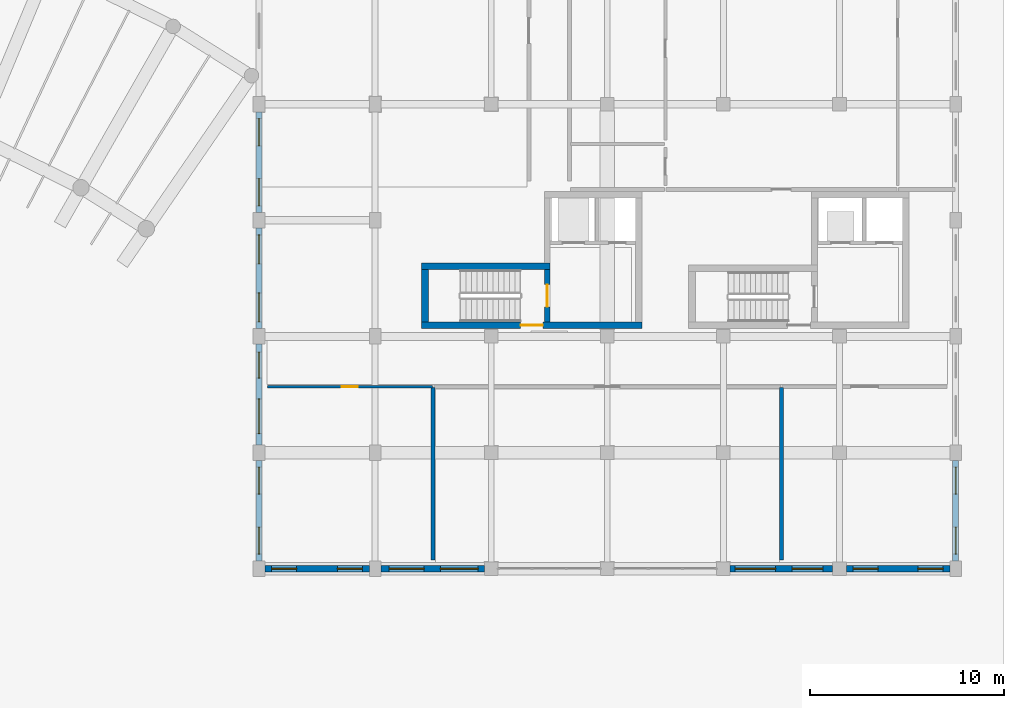
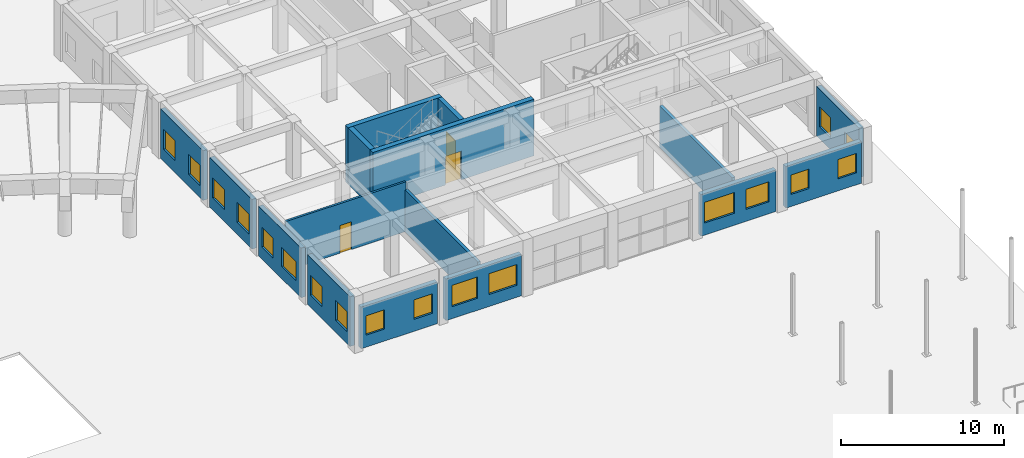
# One storey, part 61 of 76: 18 windows, 16 walls, 3 doors, 21 openings.
"""IFC4 building model written with IfcOpenShell, lengths in metres."""

from ifc_helpers import new_model, si_unit, direction, frame, frame_2d, origin, place, context, subcontext, project, spatial, rectangle, extrude, material, layer, layer_set, type_object, element, fill, save


model = new_model("IFC4")

# Units and contexts
model_context = context("Model", 3, precision=1e-05, world=origin(), true_north=direction((0.0, 1.0)))
body_context = subcontext(model_context, "Body", "Model", "MODEL_VIEW")
ifc_project = project(units=[si_unit("LENGTHUNIT", "METRE"), si_unit("AREAUNIT", "SQUARE_METRE"), si_unit("VOLUMEUNIT", "CUBIC_METRE"), si_unit("PLANEANGLEUNIT", "RADIAN"), si_unit("MASSUNIT", "GRAM", prefix="KILO"), si_unit("POWERUNIT", "WATT"), si_unit("THERMODYNAMICTEMPERATUREUNIT", "KELVIN")], contexts=[model_context])

# Site, building, storey
site_placement = place(None, origin())
site = spatial("IfcSite", under=ifc_project, at=site_placement, CompositionType="ELEMENT")
building_placement = place(site_placement, origin())
building = spatial("IfcBuilding", under=site, at=building_placement, Name="Ruvembo Vaulted Housing Court", CompositionType="ELEMENT")
storey_placement = place(building_placement, origin())
storey = spatial("IfcBuildingStorey", under=building, at=storey_placement, Name="L00", CompositionType="ELEMENT", Elevation=0.0)

# Wall, opening, door
ifc_material_1 = material(Name="Concrete C35/45", Category="concrete")
ifc_layer_1 = layer(ifc_material_1, 0.300048828125, Name="Concrete C35/45")
ifc_layer_set_1 = layer_set([ifc_layer_1], Name="Concrete C35/45")
wall_type_1 = type_object("IfcWallType", Name="WL-CORE-300", PredefinedType="SHEAR", material=ifc_layer_set_1)
wall_1_placement = place(storey_placement, frame((164.89990234375, 84.75, 0.0), z_axis=(0.0, 0.0, 1.0), x_axis=(0.0, 1.0, 0.0)))
wall_1 = element("IfcWall", 1, at=wall_1_placement, inside=storey, type_object=wall_type_1, Name="Core D1 L00 Stair-Lobby Shear Wall", PredefinedType="SHEAR", context=body_context, shape_type="SweptSolid", body=[
    extrude(rectangle(XDim=2.699951171875, YDim=0.300048828125, at=frame_2d((1.35009765625, 0.0))), origin(), (0.0, 0.0, 1.0), 4.22998046875),
])
opening_1_placement = place(wall_1_placement, frame((0.77490234375, 0.0, 0.0)))
opening_1 = element("IfcOpeningElement", 2, at=opening_1_placement, cuts=wall_1, Name="Opening SD1", PredefinedType="OPENING", context=body_context, shape_type="SweptSolid", body=[
    extrude(rectangle(XDim=1.14990234375, YDim=2.14990234375, at=frame_2d((0.574951171875, 1.074951171875))), frame((0.0, 0.159912109375, 0.0), z_axis=(0.0, -1.0, 0.0), x_axis=(1.0, 0.0, 0.0)), (0.0, 0.0, 1.0), 0.320068359375),
])
ifc_material_2 = material(Name="Galvanised Painted Steel", Category="steel")
door_type_1 = type_object("IfcDoorType", Name="DR-STAIR-1150x2150", OperationType="NOTDEFINED", PredefinedType="DOOR", material=ifc_material_2)
door_1_placement = place(opening_1_placement, origin())
door_1 = element("IfcDoor", 3, at=door_1_placement, inside=storey, type_object=door_type_1, Name="Stair ST-D1 L00 Fire Door", OperationType="SINGLE_SWING_LEFT", OverallHeight=2.14990234375, OverallWidth=1.14990234375, PredefinedType="DOOR", context=body_context, shape_type="SweptSolid", body=[
    extrude(rectangle(XDim=1.14990234375, YDim=2.14990234375, at=frame_2d((0.574951171875, 1.074951171875))), frame((0.0, 0.02490234375, 0.0), z_axis=(0.0, -1.0, 0.0), x_axis=(1.0, 0.0, 0.0)), (0.0, 0.0, 1.0), 0.050048828125),
])
fill(opening_1, door_1)

ifc_layer_2 = layer(ifc_material_1, 0.35009765625, Name="Concrete C35/45")
ifc_layer_set_2 = layer_set([ifc_layer_2], Name="Concrete C35/45")
wall_type_2 = type_object("IfcWallType", Name="WL-CORE-350", PredefinedType="SHEAR", material=ifc_layer_set_2)
wall_2_placement = place(storey_placement, frame((158.39990234375, 84.574951171875, 0.0), z_axis=(0.0, 0.0, 1.0), x_axis=(1.0, 0.0, 0.0)))
wall_2 = element("IfcWall", 4, at=wall_2_placement, inside=storey, type_object=wall_type_2, Name="Core D1 L00 South Shear Wall", PredefinedType="SHEAR", context=body_context, shape_type="SweptSolid", body=[
    extrude(rectangle(XDim=11.400146484375, YDim=0.35009765625, at=frame_2d((5.7001953125, 0.0))), origin(), (0.0, 0.0, 1.0), 4.22998046875),
])
opening_2_placement = place(wall_2_placement, frame((5.125, 0.0, 0.0)))
opening_2 = element("IfcOpeningElement", 5, at=opening_2_placement, cuts=wall_2, Name="Opening LD0", PredefinedType="OPENING", context=body_context, shape_type="SweptSolid", body=[
    extrude(rectangle(XDim=1.14990234375, YDim=2.14990234375, at=frame_2d((0.574951171875, 1.074951171875))), frame((0.0, 0.18505859375, 0.0), z_axis=(0.0, -1.0, 0.0), x_axis=(1.0, 0.0, 0.0)), (0.0, 0.0, 1.0), 0.3701171875),
])
door_type_2 = type_object("IfcDoorType", Name="DR-LOB-1150x2150", OperationType="NOTDEFINED", PredefinedType="DOOR", material=ifc_material_2)
door_2_placement = place(opening_2_placement, origin())
door_2 = element("IfcDoor", 6, at=door_2_placement, inside=storey, type_object=door_type_2, Name="Core D1 L00 Lobby Fire Door", OperationType="SINGLE_SWING_RIGHT", OverallHeight=2.14990234375, OverallWidth=1.14990234375, PredefinedType="DOOR", context=body_context, shape_type="SweptSolid", body=[
    extrude(rectangle(XDim=1.14990234375, YDim=2.14990234375, at=frame_2d((0.574951171875, 1.074951171875))), frame((0.0, 0.02490234375, 0.0), z_axis=(0.0, -1.0, 0.0), x_axis=(1.0, 0.0, 0.0)), (0.0, 0.0, 1.0), 0.050048828125),
])
fill(opening_2, door_2)

# Walls
wall_3_placement = place(storey_placement, frame((165.050048828125, 87.625, 0.0), z_axis=(0.0, 0.0, 1.0), x_axis=(-1.0, 0.0, 0.0)))
element("IfcWall", 7, at=wall_3_placement, inside=storey, type_object=wall_type_2, Name="Core D1 L00 Stair North Shear Wall", PredefinedType="SHEAR", context=body_context, shape_type="SweptSolid", body=[
    extrude(rectangle(XDim=6.650146484375, YDim=0.35009765625, at=frame_2d((3.3251953125, 0.0))), origin(), (0.0, 0.0, 1.0), 4.22998046875),
])
wall_4_placement = place(storey_placement, frame((158.574951171875, 87.449951171875, 0.0), z_axis=(0.0, 0.0, 1.0), x_axis=(0.0, -1.0, 0.0)))
element("IfcWall", 8, at=wall_4_placement, inside=storey, type_object=wall_type_2, Name="Core D1 L00 Stair West Shear Wall", PredefinedType="SHEAR", context=body_context, shape_type="SweptSolid", body=[
    extrude(rectangle(XDim=2.699951171875, YDim=0.35009765625, at=frame_2d((1.35009765625, 0.0))), origin(), (0.0, 0.0, 1.0), 4.22998046875),
])
ifc_material_3 = material(Name="Concrete Blockwork 200", Category="masonry")
ifc_layer_3 = layer(ifc_material_3, 0.199951171875, Name="Concrete Blockwork 200")
ifc_layer_set_3 = layer_set([ifc_layer_3], Name="Concrete Blockwork 200")
wall_type_3 = type_object("IfcWallType", Name="WL-CORR-200", PredefinedType="SOLIDWALL", material=ifc_layer_set_3)
for number, where, z_axis, x_axis, name in (
    (9, (159.0, 72.43994140625, 0.0), (0.0, 0.0, 1.0), (0.0, 1.0, 0.0), "L00 Lobby W WL-INT-L00-00142"),
    (10, (177.0, 72.43994140625, 0.0), (0.0, 0.0, 1.0), (0.0, 1.0, 0.0), "L00 Lobby E WL-INT-L00-00144"),
):
    element("IfcWall", number, at=place(storey_placement, frame(where, z_axis=z_axis, x_axis=x_axis)), inside=storey, type_object=wall_type_3, Name=name, PredefinedType="SOLIDWALL", context=body_context, shape_type="SweptSolid", body=[
        extrude(rectangle(XDim=8.920166015625, YDim=0.199951171875, at=frame_2d((4.4599609375, 0.0))), origin(), (0.0, 0.0, 1.0), 3.112060546875),
    ])

# Wall, openings, windows
ifc_material_4 = material(Name="Rendered Masonry 320", Category="masonry")
ifc_layer_4 = layer(ifc_material_4, 0.320068359375, Name="Rendered Masonry 320")
ifc_layer_set_4 = layer_set([ifc_layer_4], Name="Rendered Masonry 320")
wall_type_4 = type_object("IfcWallType", Name="WL-EXT-320", PredefinedType="STANDARD", material=ifc_layer_set_4)
wall_5_placement = place(storey_placement, frame((150.300048828125, 72.0, 0.0), z_axis=(0.0, 0.0, 1.0), x_axis=(1.0, 0.0, 0.0)))
wall_5 = element("IfcWall", 11, at=wall_5_placement, inside=storey, type_object=wall_type_4, Name="Block D L00 Exterior Wall COURTYARD #1", PredefinedType="STANDARD", context=body_context, shape_type="SweptSolid", body=[
    extrude(rectangle(XDim=5.39990234375, YDim=0.320068359375, at=frame_2d((2.699951171875, 0.0))), origin(), (0.0, 0.0, 1.0), 3.112060546875),
])
opening_3_placement = place(wall_5_placement, frame((0.35009765625, 0.0, 0.89990234375)))
opening_3 = element("IfcOpeningElement", 12, at=opening_3_placement, cuts=wall_5, Name="Opening W15", PredefinedType="OPENING", context=body_context, shape_type="SweptSolid", body=[
    extrude(rectangle(XDim=1.300048828125, YDim=1.449951171875, at=frame_2d((0.64990234375, 0.72509765625))), frame((0.0, 0.169921875, 0.0), z_axis=(0.0, -1.0, 0.0), x_axis=(1.0, 0.0, 0.0)), (0.0, 0.0, 1.0), 0.340087890625),
])
opening_4_placement = place(wall_5_placement, frame((3.75, 0.0, 0.89990234375)))
opening_4 = element("IfcOpeningElement", 13, at=opening_4_placement, cuts=wall_5, Name="Opening W15", PredefinedType="OPENING", context=body_context, shape_type="SweptSolid", body=[
    extrude(rectangle(XDim=1.300048828125, YDim=1.449951171875, at=frame_2d((0.64990234375, 0.72509765625))), frame((0.0, 0.169921875, 0.0), z_axis=(0.0, -1.0, 0.0), x_axis=(1.0, 0.0, 0.0)), (0.0, 0.0, 1.0), 0.340087890625),
])
ifc_material_5 = material(Name="Double Solar-Control Glazing in Aluminium Frame", Category="aluminium")
window_type_1 = type_object("IfcWindowType", Name="WIN-1300x1450", PartitioningType="SINGLE_PANEL", PredefinedType="WINDOW", material=ifc_material_5)
window_1_placement = place(opening_3_placement, origin())
window_1 = element("IfcWindow", 14, at=window_1_placement, inside=storey, type_object=window_type_1, Name="Block D L00 Window #1447", OverallHeight=1.449951171875, OverallWidth=1.300048828125, PartitioningType="SINGLE_PANEL", PredefinedType="WINDOW", context=body_context, shape_type="SweptSolid", body=[
    extrude(rectangle(XDim=1.300048828125, YDim=1.449951171875, at=frame_2d((0.64990234375, 0.72509765625))), frame((0.0, 0.030029296875, 0.0), z_axis=(0.0, -1.0, 0.0), x_axis=(1.0, 0.0, 0.0)), (0.0, 0.0, 1.0), 0.06005859375),
])
fill(opening_3, window_1)
window_2_placement = place(opening_4_placement, origin())
window_2 = element("IfcWindow", 15, at=window_2_placement, inside=storey, type_object=window_type_1, Name="Block D L00 Window #1448", OverallHeight=1.449951171875, OverallWidth=1.300048828125, PartitioningType="SINGLE_PANEL", PredefinedType="WINDOW", context=body_context, shape_type="SweptSolid", body=[
    extrude(rectangle(XDim=1.300048828125, YDim=1.449951171875, at=frame_2d((0.64990234375, 0.72509765625))), frame((0.0, 0.030029296875, 0.0), z_axis=(0.0, -1.0, 0.0), x_axis=(1.0, 0.0, 0.0)), (0.0, 0.0, 1.0), 0.06005859375),
])
fill(opening_4, window_2)

wall_6_placement = place(storey_placement, frame((156.300048828125, 72.0, 0.0), z_axis=(0.0, 0.0, 1.0), x_axis=(1.0, 0.0, 0.0)))
wall_6 = element("IfcWall", 16, at=wall_6_placement, inside=storey, type_object=wall_type_4, Name="Block D L00 Exterior Wall COURTYARD #2", PredefinedType="STANDARD", context=body_context, shape_type="SweptSolid", body=[
    extrude(rectangle(XDim=5.349853515625, YDim=0.320068359375, at=frame_2d((2.6748046875, 0.0))), origin(), (0.0, 0.0, 1.0), 3.112060546875),
])
opening_5_placement = place(wall_6_placement, frame((0.429931640625, 0.0, 0.89990234375)))
opening_5 = element("IfcOpeningElement", 17, at=opening_5_placement, cuts=wall_6, Name="Opening W23", PredefinedType="OPENING", context=body_context, shape_type="SweptSolid", body=[
    extrude(rectangle(XDim=1.800048828125, YDim=1.60009765625, at=frame_2d((0.89990234375, 0.800048828125))), frame((0.0, 0.169921875, 0.0), z_axis=(0.0, -1.0, 0.0), x_axis=(1.0, 0.0, 0.0)), (0.0, 0.0, 1.0), 0.340087890625),
])
opening_6_placement = place(wall_6_placement, frame((3.070068359375, 0.0, 0.89990234375)))
opening_6 = element("IfcOpeningElement", 18, at=opening_6_placement, cuts=wall_6, Name="Opening W24", PredefinedType="OPENING", context=body_context, shape_type="SweptSolid", body=[
    extrude(rectangle(XDim=1.949951171875, YDim=1.550048828125, at=frame_2d((0.97509765625, 0.77490234375))), frame((0.0, 0.169921875, 0.0), z_axis=(0.0, -1.0, 0.0), x_axis=(1.0, 0.0, 0.0)), (0.0, 0.0, 1.0), 0.340087890625),
])
window_type_2 = type_object("IfcWindowType", Name="WIN-1800x1600", PartitioningType="SINGLE_PANEL", PredefinedType="WINDOW", material=ifc_material_5)
window_3_placement = place(opening_5_placement, origin())
window_3 = element("IfcWindow", 19, at=window_3_placement, inside=storey, type_object=window_type_2, Name="Block D L00 Window #1449", OverallHeight=1.60009765625, OverallWidth=1.800048828125, PartitioningType="SINGLE_PANEL", PredefinedType="WINDOW", context=body_context, shape_type="SweptSolid", body=[
    extrude(rectangle(XDim=1.800048828125, YDim=1.60009765625, at=frame_2d((0.89990234375, 0.800048828125))), frame((0.0, 0.030029296875, 0.0), z_axis=(0.0, -1.0, 0.0), x_axis=(1.0, 0.0, 0.0)), (0.0, 0.0, 1.0), 0.06005859375),
])
fill(opening_5, window_3)
window_type_3 = type_object("IfcWindowType", Name="WIN-1950x1550", PartitioningType="SINGLE_PANEL", PredefinedType="WINDOW", material=ifc_material_5)
window_4_placement = place(opening_6_placement, origin())
window_4 = element("IfcWindow", 20, at=window_4_placement, inside=storey, type_object=window_type_3, Name="Block D L00 Window #1450", OverallHeight=1.550048828125, OverallWidth=1.949951171875, PartitioningType="SINGLE_PANEL", PredefinedType="WINDOW", context=body_context, shape_type="SweptSolid", body=[
    extrude(rectangle(XDim=1.949951171875, YDim=1.550048828125, at=frame_2d((0.97509765625, 0.77490234375))), frame((0.0, 0.030029296875, 0.0), z_axis=(0.0, -1.0, 0.0), x_axis=(1.0, 0.0, 0.0)), (0.0, 0.0, 1.0), 0.06005859375),
])
fill(opening_6, window_4)

wall_7_placement = place(storey_placement, frame((174.35009765625, 72.0, 0.0), z_axis=(0.0, 0.0, 1.0), x_axis=(1.0, 0.0, 0.0)))
wall_7 = element("IfcWall", 21, at=wall_7_placement, inside=storey, type_object=wall_type_4, Name="Block D L00 Exterior Wall COURTYARD #5", PredefinedType="STANDARD", context=body_context, shape_type="SweptSolid", body=[
    extrude(rectangle(XDim=5.2998046875, YDim=0.320068359375, at=frame_2d((2.64990234375, 0.0))), origin(), (0.0, 0.0, 1.0), 3.112060546875),
])
opening_7_placement = place(wall_7_placement, frame((0.2548828125, 0.0, 0.89990234375)))
opening_7 = element("IfcOpeningElement", 22, at=opening_7_placement, cuts=wall_7, Name="Opening W25", PredefinedType="OPENING", context=body_context, shape_type="SweptSolid", body=[
    extrude(rectangle(XDim=2.10009765625, YDim=1.550048828125, at=frame_2d((1.050048828125, 0.77490234375))), frame((0.0, 0.169921875, 0.0), z_axis=(0.0, -1.0, 0.0), x_axis=(1.0, 0.0, 0.0)), (0.0, 0.0, 1.0), 0.340087890625),
])
opening_8_placement = place(wall_7_placement, frame((3.195068359375, 0.0, 0.89990234375)))
opening_8 = element("IfcOpeningElement", 23, at=opening_8_placement, cuts=wall_7, Name="Opening W20", PredefinedType="OPENING", context=body_context, shape_type="SweptSolid", body=[
    extrude(rectangle(XDim=1.60009765625, YDim=1.5, at=frame_2d((0.800048828125, 0.75))), frame((0.0, 0.169921875, 0.0), z_axis=(0.0, -1.0, 0.0), x_axis=(1.0, 0.0, 0.0)), (0.0, 0.0, 1.0), 0.340087890625),
])
window_type_4 = type_object("IfcWindowType", Name="WIN-1600x1500", PartitioningType="SINGLE_PANEL", PredefinedType="WINDOW", material=ifc_material_5)
window_5_placement = place(opening_8_placement, origin())
window_5 = element("IfcWindow", 24, at=window_5_placement, inside=storey, type_object=window_type_4, Name="Block D L00 Window #1452", OverallHeight=1.5, OverallWidth=1.60009765625, PartitioningType="SINGLE_PANEL", PredefinedType="WINDOW", context=body_context, shape_type="SweptSolid", body=[
    extrude(rectangle(XDim=1.60009765625, YDim=1.5, at=frame_2d((0.800048828125, 0.75))), frame((0.0, 0.030029296875, 0.0), z_axis=(0.0, -1.0, 0.0), x_axis=(1.0, 0.0, 0.0)), (0.0, 0.0, 1.0), 0.06005859375),
])
fill(opening_8, window_5)
window_type_5 = type_object("IfcWindowType", Name="WIN-2100x1550", PartitioningType="SINGLE_PANEL", PredefinedType="WINDOW", material=ifc_material_5)
window_6_placement = place(opening_7_placement, origin())
window_6 = element("IfcWindow", 25, at=window_6_placement, inside=storey, type_object=window_type_5, Name="Block D L00 Window #1451", OverallHeight=1.550048828125, OverallWidth=2.10009765625, PartitioningType="SINGLE_PANEL", PredefinedType="WINDOW", context=body_context, shape_type="SweptSolid", body=[
    extrude(rectangle(XDim=2.10009765625, YDim=1.550048828125, at=frame_2d((1.050048828125, 0.77490234375))), frame((0.0, 0.030029296875, 0.0), z_axis=(0.0, -1.0, 0.0), x_axis=(1.0, 0.0, 0.0)), (0.0, 0.0, 1.0), 0.06005859375),
])
fill(opening_7, window_6)

wall_8_placement = place(storey_placement, frame((180.35009765625, 72.0, 0.0), z_axis=(0.0, 0.0, 1.0), x_axis=(1.0, 0.0, 0.0)))
wall_8 = element("IfcWall", 26, at=wall_8_placement, inside=storey, type_object=wall_type_4, Name="Block D L00 Exterior Wall COURTYARD #6", PredefinedType="STANDARD", context=body_context, shape_type="SweptSolid", body=[
    extrude(rectangle(XDim=5.349853515625, YDim=0.320068359375, at=frame_2d((2.6748046875, 0.0))), origin(), (0.0, 0.0, 1.0), 3.112060546875),
])
opening_9_placement = place(wall_8_placement, frame((0.35009765625, 0.0, 0.89990234375)))
opening_9 = element("IfcOpeningElement", 27, at=opening_9_placement, cuts=wall_8, Name="Opening W15", PredefinedType="OPENING", context=body_context, shape_type="SweptSolid", body=[
    extrude(rectangle(XDim=1.300048828125, YDim=1.449951171875, at=frame_2d((0.64990234375, 0.72509765625))), frame((0.0, 0.169921875, 0.0), z_axis=(0.0, -1.0, 0.0), x_axis=(1.0, 0.0, 0.0)), (0.0, 0.0, 1.0), 0.340087890625),
])
opening_10_placement = place(wall_8_placement, frame((3.699951171875, 0.0, 0.89990234375)))
opening_10 = element("IfcOpeningElement", 28, at=opening_10_placement, cuts=wall_8, Name="Opening W15", PredefinedType="OPENING", context=body_context, shape_type="SweptSolid", body=[
    extrude(rectangle(XDim=1.300048828125, YDim=1.449951171875, at=frame_2d((0.64990234375, 0.72509765625))), frame((0.0, 0.169921875, 0.0), z_axis=(0.0, -1.0, 0.0), x_axis=(1.0, 0.0, 0.0)), (0.0, 0.0, 1.0), 0.340087890625),
])
window_7_placement = place(opening_9_placement, origin())
window_7 = element("IfcWindow", 29, at=window_7_placement, inside=storey, type_object=window_type_1, Name="Block D L00 Window #1453", OverallHeight=1.449951171875, OverallWidth=1.300048828125, PartitioningType="SINGLE_PANEL", PredefinedType="WINDOW", context=body_context, shape_type="SweptSolid", body=[
    extrude(rectangle(XDim=1.300048828125, YDim=1.449951171875, at=frame_2d((0.64990234375, 0.72509765625))), frame((0.0, 0.030029296875, 0.0), z_axis=(0.0, -1.0, 0.0), x_axis=(1.0, 0.0, 0.0)), (0.0, 0.0, 1.0), 0.06005859375),
])
fill(opening_9, window_7)
window_8_placement = place(opening_10_placement, origin())
window_8 = element("IfcWindow", 30, at=window_8_placement, inside=storey, type_object=window_type_1, Name="Block D L00 Window #1454", OverallHeight=1.449951171875, OverallWidth=1.300048828125, PartitioningType="SINGLE_PANEL", PredefinedType="WINDOW", context=body_context, shape_type="SweptSolid", body=[
    extrude(rectangle(XDim=1.300048828125, YDim=1.449951171875, at=frame_2d((0.64990234375, 0.72509765625))), frame((0.0, 0.030029296875, 0.0), z_axis=(0.0, -1.0, 0.0), x_axis=(1.0, 0.0, 0.0)), (0.0, 0.0, 1.0), 0.06005859375),
])
fill(opening_10, window_8)

wall_9_placement = place(storey_placement, frame((186.0, 72.39990234375, 0.0), z_axis=(0.0, 0.0, 1.0), x_axis=(0.0, 1.0, 0.0)))
wall_9 = element("IfcWall", 31, at=wall_9_placement, inside=storey, type_object=wall_type_4, Name="Block D L00 Exterior Wall EAST #1", PredefinedType="STANDARD", context=body_context, shape_type="SweptSolid", body=[
    extrude(rectangle(XDim=5.2001953125, YDim=0.320068359375, at=frame_2d((2.60009765625, 0.0))), origin(), (0.0, 0.0, 1.0), 3.7119140625),
])
opening_11_placement = place(wall_9_placement, frame((0.35009765625, 0.0, 0.89990234375)))
opening_11 = element("IfcOpeningElement", 32, at=opening_11_placement, cuts=wall_9, Name="Opening W17", PredefinedType="OPENING", context=body_context, shape_type="SweptSolid", body=[
    extrude(rectangle(XDim=1.39990234375, YDim=1.5, at=frame_2d((0.699951171875, 0.75))), frame((0.0, 0.169921875, 0.0), z_axis=(0.0, -1.0, 0.0), x_axis=(1.0, 0.0, 0.0)), (0.0, 0.0, 1.0), 0.340087890625),
])
opening_12_placement = place(wall_9_placement, frame((3.449951171875, 0.0, 0.89990234375)))
opening_12 = element("IfcOpeningElement", 33, at=opening_12_placement, cuts=wall_9, Name="Opening W17", PredefinedType="OPENING", context=body_context, shape_type="SweptSolid", body=[
    extrude(rectangle(XDim=1.39990234375, YDim=1.5, at=frame_2d((0.699951171875, 0.75))), frame((0.0, 0.169921875, 0.0), z_axis=(0.0, -1.0, 0.0), x_axis=(1.0, 0.0, 0.0)), (0.0, 0.0, 1.0), 0.340087890625),
])
window_type_6 = type_object("IfcWindowType", Name="WIN-1400x1500", PartitioningType="SINGLE_PANEL", PredefinedType="WINDOW", material=ifc_material_5)
window_9_placement = place(opening_11_placement, origin())
window_9 = element("IfcWindow", 34, at=window_9_placement, inside=storey, type_object=window_type_6, Name="Block D L00 Window #1455", OverallHeight=1.5, OverallWidth=1.39990234375, PartitioningType="SINGLE_PANEL", PredefinedType="WINDOW", context=body_context, shape_type="SweptSolid", body=[
    extrude(rectangle(XDim=1.39990234375, YDim=1.5, at=frame_2d((0.699951171875, 0.75))), frame((0.0, 0.030029296875, 0.0), z_axis=(0.0, -1.0, 0.0), x_axis=(1.0, 0.0, 0.0)), (0.0, 0.0, 1.0), 0.06005859375),
])
fill(opening_11, window_9)
window_10_placement = place(opening_12_placement, origin())
window_10 = element("IfcWindow", 35, at=window_10_placement, inside=storey, type_object=window_type_6, Name="Block D L00 Window #1456", OverallHeight=1.5, OverallWidth=1.39990234375, PartitioningType="SINGLE_PANEL", PredefinedType="WINDOW", context=body_context, shape_type="SweptSolid", body=[
    extrude(rectangle(XDim=1.39990234375, YDim=1.5, at=frame_2d((0.699951171875, 0.75))), frame((0.0, 0.030029296875, 0.0), z_axis=(0.0, -1.0, 0.0), x_axis=(1.0, 0.0, 0.0)), (0.0, 0.0, 1.0), 0.06005859375),
])
fill(opening_12, window_10)

wall_10_placement = place(storey_placement, frame((150.0, 95.60009765625, 0.0), z_axis=(0.0, 0.0, 1.0), x_axis=(0.0, -1.0, 0.0)))
wall_10 = element("IfcWall", 36, at=wall_10_placement, inside=storey, type_object=wall_type_4, Name="Block D L00 Exterior Wall WEST #3", PredefinedType="STANDARD", context=body_context, shape_type="SweptSolid", body=[
    extrude(rectangle(XDim=5.2001953125, YDim=0.320068359375, at=frame_2d((2.60009765625, 0.0))), origin(), (0.0, 0.0, 1.0), 3.7119140625),
])
opening_13_placement = place(wall_10_placement, frame((0.35009765625, 0.0, 0.89990234375)))
opening_13 = element("IfcOpeningElement", 37, at=opening_13_placement, cuts=wall_10, Name="Opening W17", PredefinedType="OPENING", context=body_context, shape_type="SweptSolid", body=[
    extrude(rectangle(XDim=1.39990234375, YDim=1.5, at=frame_2d((0.699951171875, 0.75))), frame((0.0, 0.169921875, 0.0), z_axis=(0.0, -1.0, 0.0), x_axis=(1.0, 0.0, 0.0)), (0.0, 0.0, 1.0), 0.340087890625),
])
opening_14_placement = place(wall_10_placement, frame((3.449951171875, 0.0, 0.89990234375)))
opening_14 = element("IfcOpeningElement", 38, at=opening_14_placement, cuts=wall_10, Name="Opening W17", PredefinedType="OPENING", context=body_context, shape_type="SweptSolid", body=[
    extrude(rectangle(XDim=1.39990234375, YDim=1.5, at=frame_2d((0.699951171875, 0.75))), frame((0.0, 0.169921875, 0.0), z_axis=(0.0, -1.0, 0.0), x_axis=(1.0, 0.0, 0.0)), (0.0, 0.0, 1.0), 0.340087890625),
])
window_11_placement = place(opening_13_placement, origin())
window_11 = element("IfcWindow", 39, at=window_11_placement, inside=storey, type_object=window_type_6, Name="Block D L00 Window #1479", OverallHeight=1.5, OverallWidth=1.39990234375, PartitioningType="SINGLE_PANEL", PredefinedType="WINDOW", context=body_context, shape_type="SweptSolid", body=[
    extrude(rectangle(XDim=1.39990234375, YDim=1.5, at=frame_2d((0.699951171875, 0.75))), frame((0.0, 0.030029296875, 0.0), z_axis=(0.0, -1.0, 0.0), x_axis=(1.0, 0.0, 0.0)), (0.0, 0.0, 1.0), 0.06005859375),
])
fill(opening_13, window_11)
window_12_placement = place(opening_14_placement, origin())
window_12 = element("IfcWindow", 40, at=window_12_placement, inside=storey, type_object=window_type_6, Name="Block D L00 Window #1480", OverallHeight=1.5, OverallWidth=1.39990234375, PartitioningType="SINGLE_PANEL", PredefinedType="WINDOW", context=body_context, shape_type="SweptSolid", body=[
    extrude(rectangle(XDim=1.39990234375, YDim=1.5, at=frame_2d((0.699951171875, 0.75))), frame((0.0, 0.030029296875, 0.0), z_axis=(0.0, -1.0, 0.0), x_axis=(1.0, 0.0, 0.0)), (0.0, 0.0, 1.0), 0.06005859375),
])
fill(opening_14, window_12)

wall_11_placement = place(storey_placement, frame((150.0, 89.60009765625, 0.0), z_axis=(0.0, 0.0, 1.0), x_axis=(0.0, -1.0, 0.0)))
wall_11 = element("IfcWall", 41, at=wall_11_placement, inside=storey, type_object=wall_type_4, Name="Block D L00 Exterior Wall WEST #4", PredefinedType="STANDARD", context=body_context, shape_type="SweptSolid", body=[
    extrude(rectangle(XDim=5.2001953125, YDim=0.320068359375, at=frame_2d((2.60009765625, 0.0))), origin(), (0.0, 0.0, 1.0), 3.7119140625),
])
opening_15_placement = place(wall_11_placement, frame((0.35009765625, 0.0, 0.89990234375)))
opening_15 = element("IfcOpeningElement", 42, at=opening_15_placement, cuts=wall_11, Name="Opening W19", PredefinedType="OPENING", context=body_context, shape_type="SweptSolid", body=[
    extrude(rectangle(XDim=1.5, YDim=1.5, at=frame_2d((0.75, 0.75))), frame((0.0, 0.169921875, 0.0), z_axis=(0.0, -1.0, 0.0), x_axis=(1.0, 0.0, 0.0)), (0.0, 0.0, 1.0), 0.340087890625),
])
opening_16_placement = place(wall_11_placement, frame((3.35009765625, 0.0, 0.89990234375)))
opening_16 = element("IfcOpeningElement", 43, at=opening_16_placement, cuts=wall_11, Name="Opening W19", PredefinedType="OPENING", context=body_context, shape_type="SweptSolid", body=[
    extrude(rectangle(XDim=1.5, YDim=1.5, at=frame_2d((0.75, 0.75))), frame((0.0, 0.169921875, 0.0), z_axis=(0.0, -1.0, 0.0), x_axis=(1.0, 0.0, 0.0)), (0.0, 0.0, 1.0), 0.340087890625),
])
window_type_7 = type_object("IfcWindowType", Name="WIN-1500x1500", PartitioningType="SINGLE_PANEL", PredefinedType="WINDOW", material=ifc_material_5)
window_13_placement = place(opening_15_placement, origin())
window_13 = element("IfcWindow", 44, at=window_13_placement, inside=storey, type_object=window_type_7, Name="Block D L00 Window #1481", OverallHeight=1.5, OverallWidth=1.5, PartitioningType="SINGLE_PANEL", PredefinedType="WINDOW", context=body_context, shape_type="SweptSolid", body=[
    extrude(rectangle(XDim=1.5, YDim=1.5, at=frame_2d((0.75, 0.75))), frame((0.0, 0.030029296875, 0.0), z_axis=(0.0, -1.0, 0.0), x_axis=(1.0, 0.0, 0.0)), (0.0, 0.0, 1.0), 0.06005859375),
])
fill(opening_15, window_13)
window_14_placement = place(opening_16_placement, origin())
window_14 = element("IfcWindow", 45, at=window_14_placement, inside=storey, type_object=window_type_7, Name="Block D L00 Window #1482", OverallHeight=1.5, OverallWidth=1.5, PartitioningType="SINGLE_PANEL", PredefinedType="WINDOW", context=body_context, shape_type="SweptSolid", body=[
    extrude(rectangle(XDim=1.5, YDim=1.5, at=frame_2d((0.75, 0.75))), frame((0.0, 0.030029296875, 0.0), z_axis=(0.0, -1.0, 0.0), x_axis=(1.0, 0.0, 0.0)), (0.0, 0.0, 1.0), 0.06005859375),
])
fill(opening_16, window_14)

wall_12_placement = place(storey_placement, frame((150.0, 83.60009765625, 0.0), z_axis=(0.0, 0.0, 1.0), x_axis=(0.0, -1.0, 0.0)))
wall_12 = element("IfcWall", 46, at=wall_12_placement, inside=storey, type_object=wall_type_4, Name="Block D L00 Exterior Wall WEST #5", PredefinedType="STANDARD", context=body_context, shape_type="SweptSolid", body=[
    extrude(rectangle(XDim=5.2001953125, YDim=0.320068359375, at=frame_2d((2.60009765625, 0.0))), origin(), (0.0, 0.0, 1.0), 3.7119140625),
])
opening_17_placement = place(wall_12_placement, frame((0.405029296875, 0.0, 0.89990234375)))
opening_17 = element("IfcOpeningElement", 47, at=opening_17_placement, cuts=wall_12, Name="Opening W16", PredefinedType="OPENING", context=body_context, shape_type="SweptSolid", body=[
    extrude(rectangle(XDim=1.35009765625, YDim=1.5, at=frame_2d((0.675048828125, 0.75))), frame((0.0, 0.169921875, 0.0), z_axis=(0.0, -1.0, 0.0), x_axis=(1.0, 0.0, 0.0)), (0.0, 0.0, 1.0), 0.340087890625),
])
opening_18_placement = place(wall_12_placement, frame((2.820068359375, 0.0, 0.89990234375)))
opening_18 = element("IfcOpeningElement", 48, at=opening_18_placement, cuts=wall_12, Name="Opening W22", PredefinedType="OPENING", context=body_context, shape_type="SweptSolid", body=[
    extrude(rectangle(XDim=1.800048828125, YDim=1.449951171875, at=frame_2d((0.89990234375, 0.72509765625))), frame((0.0, 0.169921875, 0.0), z_axis=(0.0, -1.0, 0.0), x_axis=(1.0, 0.0, 0.0)), (0.0, 0.0, 1.0), 0.340087890625),
])
window_type_8 = type_object("IfcWindowType", Name="WIN-1350x1500", PartitioningType="SINGLE_PANEL", PredefinedType="WINDOW", material=ifc_material_5)
window_15_placement = place(opening_17_placement, origin())
window_15 = element("IfcWindow", 49, at=window_15_placement, inside=storey, type_object=window_type_8, Name="Block D L00 Window #1483", OverallHeight=1.5, OverallWidth=1.35009765625, PartitioningType="SINGLE_PANEL", PredefinedType="WINDOW", context=body_context, shape_type="SweptSolid", body=[
    extrude(rectangle(XDim=1.35009765625, YDim=1.5, at=frame_2d((0.675048828125, 0.75))), frame((0.0, 0.030029296875, 0.0), z_axis=(0.0, -1.0, 0.0), x_axis=(1.0, 0.0, 0.0)), (0.0, 0.0, 1.0), 0.06005859375),
])
fill(opening_17, window_15)
window_type_9 = type_object("IfcWindowType", Name="WIN-1800x1450", PartitioningType="SINGLE_PANEL", PredefinedType="WINDOW", material=ifc_material_5)
window_16_placement = place(opening_18_placement, origin())
window_16 = element("IfcWindow", 50, at=window_16_placement, inside=storey, type_object=window_type_9, Name="Block D L00 Window #1484", OverallHeight=1.449951171875, OverallWidth=1.800048828125, PartitioningType="SINGLE_PANEL", PredefinedType="WINDOW", context=body_context, shape_type="SweptSolid", body=[
    extrude(rectangle(XDim=1.800048828125, YDim=1.449951171875, at=frame_2d((0.89990234375, 0.72509765625))), frame((0.0, 0.030029296875, 0.0), z_axis=(0.0, -1.0, 0.0), x_axis=(1.0, 0.0, 0.0)), (0.0, 0.0, 1.0), 0.06005859375),
])
fill(opening_18, window_16)

wall_13_placement = place(storey_placement, frame((150.0, 77.60009765625, 0.0), z_axis=(0.0, 0.0, 1.0), x_axis=(0.0, -1.0, 0.0)))
wall_13 = element("IfcWall", 51, at=wall_13_placement, inside=storey, type_object=wall_type_4, Name="Block D L00 Exterior Wall WEST #6", PredefinedType="STANDARD", context=body_context, shape_type="SweptSolid", body=[
    extrude(rectangle(XDim=5.2001953125, YDim=0.320068359375, at=frame_2d((2.60009765625, 0.0))), origin(), (0.0, 0.0, 1.0), 3.7119140625),
])
opening_19_placement = place(wall_13_placement, frame((0.35009765625, 0.0, 0.89990234375)))
opening_19 = element("IfcOpeningElement", 52, at=opening_19_placement, cuts=wall_13, Name="Opening W17", PredefinedType="OPENING", context=body_context, shape_type="SweptSolid", body=[
    extrude(rectangle(XDim=1.39990234375, YDim=1.5, at=frame_2d((0.699951171875, 0.75))), frame((0.0, 0.169921875, 0.0), z_axis=(0.0, -1.0, 0.0), x_axis=(1.0, 0.0, 0.0)), (0.0, 0.0, 1.0), 0.340087890625),
])
opening_20_placement = place(wall_13_placement, frame((3.449951171875, 0.0, 0.89990234375)))
opening_20 = element("IfcOpeningElement", 53, at=opening_20_placement, cuts=wall_13, Name="Opening W17", PredefinedType="OPENING", context=body_context, shape_type="SweptSolid", body=[
    extrude(rectangle(XDim=1.39990234375, YDim=1.5, at=frame_2d((0.699951171875, 0.75))), frame((0.0, 0.169921875, 0.0), z_axis=(0.0, -1.0, 0.0), x_axis=(1.0, 0.0, 0.0)), (0.0, 0.0, 1.0), 0.340087890625),
])
window_17_placement = place(opening_19_placement, origin())
window_17 = element("IfcWindow", 54, at=window_17_placement, inside=storey, type_object=window_type_6, Name="Block D L00 Window #1485", OverallHeight=1.5, OverallWidth=1.39990234375, PartitioningType="SINGLE_PANEL", PredefinedType="WINDOW", context=body_context, shape_type="SweptSolid", body=[
    extrude(rectangle(XDim=1.39990234375, YDim=1.5, at=frame_2d((0.699951171875, 0.75))), frame((0.0, 0.030029296875, 0.0), z_axis=(0.0, -1.0, 0.0), x_axis=(1.0, 0.0, 0.0)), (0.0, 0.0, 1.0), 0.06005859375),
])
fill(opening_19, window_17)
window_18_placement = place(opening_20_placement, origin())
window_18 = element("IfcWindow", 55, at=window_18_placement, inside=storey, type_object=window_type_6, Name="Block D L00 Window #1486", OverallHeight=1.5, OverallWidth=1.39990234375, PartitioningType="SINGLE_PANEL", PredefinedType="WINDOW", context=body_context, shape_type="SweptSolid", body=[
    extrude(rectangle(XDim=1.39990234375, YDim=1.5, at=frame_2d((0.699951171875, 0.75))), frame((0.0, 0.030029296875, 0.0), z_axis=(0.0, -1.0, 0.0), x_axis=(1.0, 0.0, 0.0)), (0.0, 0.0, 1.0), 0.06005859375),
])
fill(opening_20, window_18)

# Wall, opening, door
ifc_material_6 = material(Name="Moisture-Resistant Wet Partition 150", Category="gypsum")
ifc_layer_5 = layer(ifc_material_6, 0.14990234375, Name="Moisture-Resistant Wet Partition 150")
ifc_layer_set_5 = layer_set([ifc_layer_5], Name="Moisture-Resistant Wet Partition 150")
wall_type_5 = type_object("IfcWallType", Name="WL-PART-150", PredefinedType="PARTITIONING", material=ifc_layer_set_5)
wall_14_placement = place(storey_placement, frame((150.43994140625, 81.39990234375, 0.0), z_axis=(0.0, 0.0, 1.0), x_axis=(1.0, 0.0, 0.0)))
wall_14 = element("IfcWall", 56, at=wall_14_placement, inside=storey, type_object=wall_type_5, Name="L00 Block D WC WL-INT-L00-00141", PredefinedType="PARTITIONING", context=body_context, shape_type="SweptSolid", body=[
    extrude(rectangle(XDim=8.52001953125, YDim=0.14990234375, at=frame_2d((4.260009765625, 0.0))), origin(), (0.0, 0.0, 1.0), 3.7119140625),
])
opening_21_placement = place(wall_14_placement, frame((3.85009765625, 0.0, 0.0)))
opening_21 = element("IfcOpeningElement", 57, at=opening_21_placement, cuts=wall_14, Name="Opening ID4", PredefinedType="OPENING", context=body_context, shape_type="SweptSolid", body=[
    extrude(rectangle(XDim=0.820068359375, YDim=2.080078125, at=frame_2d((0.41015625, 1.0400390625))), frame((0.0, 0.0849609375, 0.0), z_axis=(0.0, -1.0, 0.0), x_axis=(1.0, 0.0, 0.0)), (0.0, 0.0, 1.0), 0.169921875),
])
ifc_material_7 = material(Name="FSC Hardwood and Engineered Timber", Category="wood")
door_type_3 = type_object("IfcDoorType", Name="DR-WET-0820x2080", OperationType="NOTDEFINED", PredefinedType="DOOR", material=ifc_material_7)
door_3_placement = place(opening_21_placement, origin())
door_3 = element("IfcDoor", 58, at=door_3_placement, inside=storey, type_object=door_type_3, Name="L00 Block D WC Door DR-INT-L00-00066", OperationType="SINGLE_SWING_RIGHT", OverallHeight=2.080078125, OverallWidth=0.820068359375, PredefinedType="DOOR", context=body_context, shape_type="SweptSolid", body=[
    extrude(rectangle(XDim=0.820068359375, YDim=2.080078125, at=frame_2d((0.41015625, 1.0400390625))), frame((0.0, 0.02490234375, 0.0), z_axis=(0.0, -1.0, 0.0), x_axis=(1.0, 0.0, 0.0)), (0.0, 0.0, 1.0), 0.050048828125),
])
fill(opening_21, door_3)

save(model, "model.ifc")
